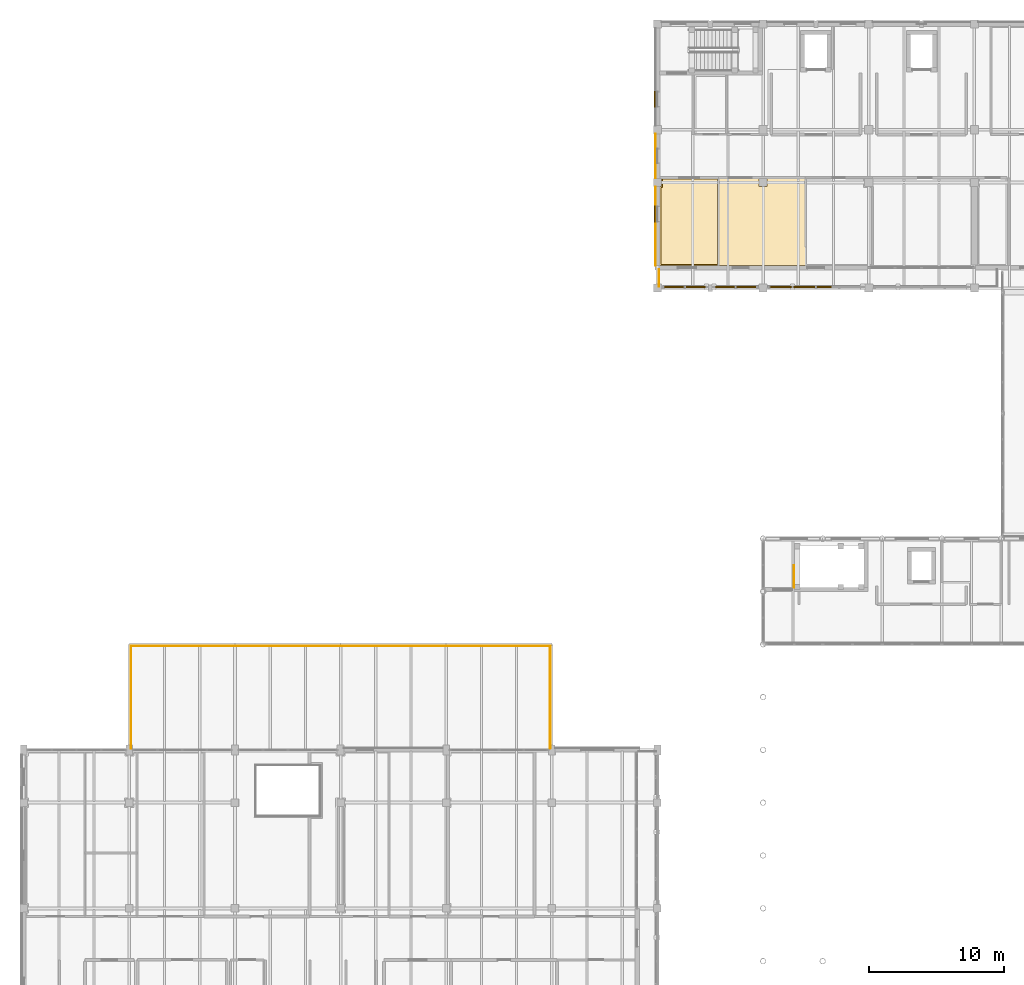
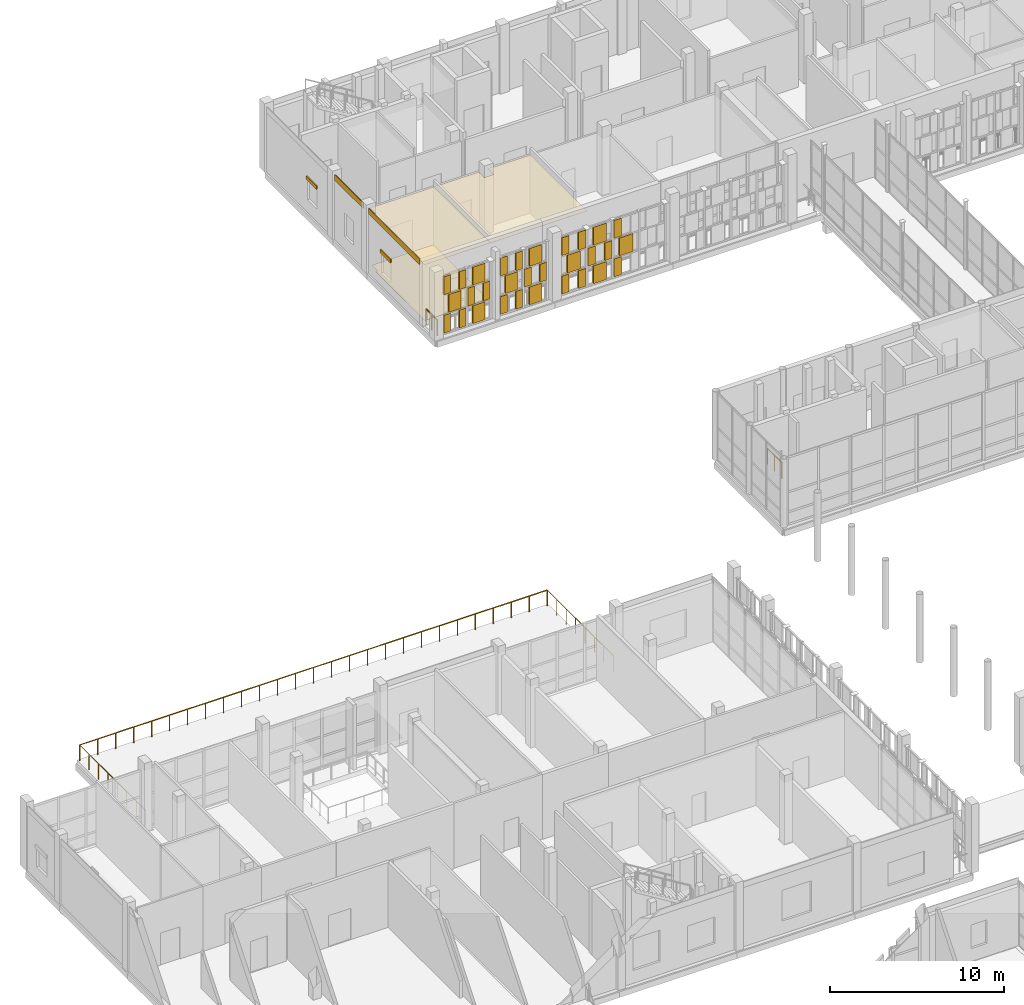
# One storey, part 128 of 138: 35 coverings, 5 railings, 2 shading devices.
"""IFC4 building model written with IfcOpenShell, lengths in metres."""

from ifc_helpers import new_model, si_unit, direction, frame, origin, origin_2d, place, context, subcontext, project, spatial, polyline, rectangle, circle, outline, extrude, material, layer, layer_set, type_object, element, save


model = new_model("IFC4")

# Units and contexts
model_context = context("Model", 3, precision=1e-05, world=origin(), true_north=direction((0.0, 1.0)))
body_context = subcontext(model_context, "Body", "Model", "MODEL_VIEW")
ifc_project = project(units=[si_unit("LENGTHUNIT", "METRE"), si_unit("AREAUNIT", "SQUARE_METRE"), si_unit("VOLUMEUNIT", "CUBIC_METRE"), si_unit("PLANEANGLEUNIT", "RADIAN"), si_unit("MASSUNIT", "GRAM", prefix="KILO")], contexts=[model_context])

# Site, building, storey
site_placement = place(None, origin())
site = spatial("IfcSite", under=ifc_project, at=site_placement, CompositionType="ELEMENT")
building_placement = place(site_placement, origin())
building = spatial("IfcBuilding", under=site, at=building_placement, Name="Celorna Specialist Clinic", CompositionType="ELEMENT")
storey_placement = place(building_placement, frame((0.0, 0.0, 4.800048828125)))
storey = spatial("IfcBuildingStorey", under=building, at=storey_placement, Name="L01", CompositionType="ELEMENT", Elevation=4.800048828125)

# Railings
ifc_material_1 = material(Name="Stainless steel and laminated glass balustrade", Category="steel")
railing_type_1 = type_object("IfcRailingType", Name="BL-01", PredefinedType="BALUSTRADE", material=ifc_material_1)
railing_1_placement = place(storey_placement, frame((7.919921875, 62.52001953125, 0.0)))
element("IfcRailing", 1, at=railing_1_placement, inside=storey, type_object=railing_type_1, Name="Imaging Garden Terrace perimeter balustrade 1", PredefinedType="BALUSTRADE", context=body_context, shape_type="SweptSolid", body=[
    extrude(circle(Radius=0.02392578125, at=origin_2d()), frame((0.0, 0.0, 1.09619140625), z_axis=(0.0, 1.0, 0.0), x_axis=(-1.0, 0.0, 0.0)), (0.0, 0.0, 1.0), 7.56005859375),
    extrude(circle(Radius=0.02099609375, at=origin_2d()), origin(), (0.0, 0.0, 1.0), 1.072021484375),
    extrude(circle(Radius=0.02099609375, at=origin_2d()), frame((0.0, 1.080078125, 0.0)), (0.0, 0.0, 1.0), 1.072021484375),
    extrude(circle(Radius=0.02099609375, at=origin_2d()), frame((0.0, 2.159912109375, 0.0)), (0.0, 0.0, 1.0), 1.072021484375),
    extrude(circle(Radius=0.02099609375, at=origin_2d()), frame((0.0, 3.239990234375, 0.0)), (0.0, 0.0, 1.0), 1.072021484375),
    extrude(circle(Radius=0.02099609375, at=origin_2d()), frame((0.0, 4.320068359375, 0.0)), (0.0, 0.0, 1.0), 1.072021484375),
    extrude(circle(Radius=0.02099609375, at=origin_2d()), frame((0.0, 5.400146484375, 0.0)), (0.0, 0.0, 1.0), 1.072021484375),
    extrude(circle(Radius=0.02099609375, at=origin_2d()), frame((0.0, 6.47998046875, 0.0)), (0.0, 0.0, 1.0), 1.072021484375),
    extrude(circle(Radius=0.02099609375, at=origin_2d()), frame((0.0, 7.56005859375, 0.0)), (0.0, 0.0, 1.0), 1.072021484375),
])
railing_2_placement = place(storey_placement, frame((7.919921875, 70.080078125, 0.0)))
element("IfcRailing", 2, at=railing_2_placement, inside=storey, type_object=railing_type_1, Name="Imaging Garden Terrace perimeter balustrade 2", PredefinedType="BALUSTRADE", context=body_context, shape_type="SweptSolid", body=[
    extrude(circle(Radius=0.02392578125, at=origin_2d()), frame((0.0, 0.0, 1.09619140625), z_axis=(1.0, 0.0, 0.0), x_axis=(0.0, 1.0, 0.0)), (0.0, 0.0, 1.0), 30.9599609375),
    extrude(circle(Radius=0.02099609375, at=origin_2d()), origin(), (0.0, 0.0, 1.0), 1.072021484375),
    extrude(circle(Radius=0.02099609375, at=origin_2d()), frame((1.190673828125, 0.0, 0.0)), (0.0, 0.0, 1.0), 1.072021484375),
    extrude(circle(Radius=0.02099609375, at=origin_2d()), frame((2.381591796875, 0.0, 0.0)), (0.0, 0.0, 1.0), 1.072021484375),
    extrude(circle(Radius=0.02099609375, at=origin_2d()), frame((3.572265625, 0.0, 0.0)), (0.0, 0.0, 1.0), 1.072021484375),
    extrude(circle(Radius=0.02099609375, at=origin_2d()), frame((4.76318359375, 0.0, 0.0)), (0.0, 0.0, 1.0), 1.072021484375),
    extrude(circle(Radius=0.02099609375, at=origin_2d()), frame((5.953857421875, 0.0, 0.0)), (0.0, 0.0, 1.0), 1.072021484375),
    extrude(circle(Radius=0.02099609375, at=origin_2d()), frame((7.14453125, 0.0, 0.0)), (0.0, 0.0, 1.0), 1.072021484375),
    extrude(circle(Radius=0.02099609375, at=origin_2d()), frame((8.33544921875, 0.0, 0.0)), (0.0, 0.0, 1.0), 1.072021484375),
    extrude(circle(Radius=0.02099609375, at=origin_2d()), frame((9.526123046875, 0.0, 0.0)), (0.0, 0.0, 1.0), 1.072021484375),
    extrude(circle(Radius=0.02099609375, at=origin_2d()), frame((10.716796875, 0.0, 0.0)), (0.0, 0.0, 1.0), 1.072021484375),
    extrude(circle(Radius=0.02099609375, at=origin_2d()), frame((11.90771484375, 0.0, 0.0)), (0.0, 0.0, 1.0), 1.072021484375),
    extrude(circle(Radius=0.02099609375, at=origin_2d()), frame((13.098388671875, 0.0, 0.0)), (0.0, 0.0, 1.0), 1.072021484375),
    extrude(circle(Radius=0.02099609375, at=origin_2d()), frame((14.289306640625, 0.0, 0.0)), (0.0, 0.0, 1.0), 1.072021484375),
    extrude(circle(Radius=0.02099609375, at=origin_2d()), frame((15.47998046875, 0.0, 0.0)), (0.0, 0.0, 1.0), 1.072021484375),
    extrude(circle(Radius=0.02099609375, at=origin_2d()), frame((16.670654296875, 0.0, 0.0)), (0.0, 0.0, 1.0), 1.072021484375),
    extrude(circle(Radius=0.02099609375, at=origin_2d()), frame((17.861572265625, 0.0, 0.0)), (0.0, 0.0, 1.0), 1.072021484375),
    extrude(circle(Radius=0.02099609375, at=origin_2d()), frame((19.05224609375, 0.0, 0.0)), (0.0, 0.0, 1.0), 1.072021484375),
    extrude(circle(Radius=0.02099609375, at=origin_2d()), frame((20.2431640625, 0.0, 0.0)), (0.0, 0.0, 1.0), 1.072021484375),
    extrude(circle(Radius=0.02099609375, at=origin_2d()), frame((21.433837890625, 0.0, 0.0)), (0.0, 0.0, 1.0), 1.072021484375),
    extrude(circle(Radius=0.02099609375, at=origin_2d()), frame((22.62451171875, 0.0, 0.0)), (0.0, 0.0, 1.0), 1.072021484375),
    extrude(circle(Radius=0.02099609375, at=origin_2d()), frame((23.8154296875, 0.0, 0.0)), (0.0, 0.0, 1.0), 1.072021484375),
    extrude(circle(Radius=0.02099609375, at=origin_2d()), frame((25.006103515625, 0.0, 0.0)), (0.0, 0.0, 1.0), 1.072021484375),
    extrude(circle(Radius=0.02099609375, at=origin_2d()), frame((26.19677734375, 0.0, 0.0)), (0.0, 0.0, 1.0), 1.072021484375),
    extrude(circle(Radius=0.02099609375, at=origin_2d()), frame((27.3876953125, 0.0, 0.0)), (0.0, 0.0, 1.0), 1.072021484375),
    extrude(circle(Radius=0.02099609375, at=origin_2d()), frame((28.578369140625, 0.0, 0.0)), (0.0, 0.0, 1.0), 1.072021484375),
    extrude(circle(Radius=0.02099609375, at=origin_2d()), frame((29.769287109375, 0.0, 0.0)), (0.0, 0.0, 1.0), 1.072021484375),
    extrude(circle(Radius=0.02099609375, at=origin_2d()), frame((30.9599609375, 0.0, 0.0)), (0.0, 0.0, 1.0), 1.072021484375),
])
railing_3_placement = place(storey_placement, frame((38.8798828125, 70.080078125, 0.0)))
element("IfcRailing", 3, at=railing_3_placement, inside=storey, type_object=railing_type_1, Name="Imaging Garden Terrace perimeter balustrade 3", PredefinedType="BALUSTRADE", context=body_context, shape_type="SweptSolid", body=[
    extrude(circle(Radius=0.02392578125, at=origin_2d()), frame((0.0, 0.0, 1.09619140625), z_axis=(0.0, -1.0, 0.0), x_axis=(1.0, 0.0, 0.0)), (0.0, 0.0, 1.0), 7.56005859375),
    extrude(circle(Radius=0.02099609375, at=origin_2d()), origin(), (0.0, 0.0, 1.0), 1.072021484375),
    extrude(circle(Radius=0.02099609375, at=origin_2d()), frame((0.0, -1.080078125, 0.0)), (0.0, 0.0, 1.0), 1.072021484375),
    extrude(circle(Radius=0.02099609375, at=origin_2d()), frame((0.0, -2.159912109375, 0.0)), (0.0, 0.0, 1.0), 1.072021484375),
    extrude(circle(Radius=0.02099609375, at=origin_2d()), frame((0.0, -3.239990234375, 0.0)), (0.0, 0.0, 1.0), 1.072021484375),
    extrude(circle(Radius=0.02099609375, at=origin_2d()), frame((0.0, -4.320068359375, 0.0)), (0.0, 0.0, 1.0), 1.072021484375),
    extrude(circle(Radius=0.02099609375, at=origin_2d()), frame((0.0, -5.400146484375, 0.0)), (0.0, 0.0, 1.0), 1.072021484375),
    extrude(circle(Radius=0.02099609375, at=origin_2d()), frame((0.0, -6.47998046875, 0.0)), (0.0, 0.0, 1.0), 1.072021484375),
    extrude(circle(Radius=0.02099609375, at=origin_2d()), frame((0.0, -7.56005859375, 0.0)), (0.0, 0.0, 1.0), 1.072021484375),
])
railing_4_placement = place(storey_placement, frame((46.919921875, 96.6201171875, 0.0)))
element("IfcRailing", 4, at=railing_4_placement, inside=storey, type_object=railing_type_1, Name="West Outpatient Cloister Veranda perimeter balustrade 1", PredefinedType="BALUSTRADE", context=body_context, shape_type="SweptSolid", body=[
    extrude(circle(Radius=0.02392578125, at=origin_2d()), frame((0.0, 0.0, 1.09619140625), z_axis=(0.0, 1.0, 0.0), x_axis=(-1.0, 0.0, 0.0)), (0.0, 0.0, 1.0), 1.259765625),
    extrude(circle(Radius=0.02099609375, at=origin_2d()), origin(), (0.0, 0.0, 1.0), 1.072021484375),
    extrude(circle(Radius=0.02099609375, at=origin_2d()), frame((0.0, 0.6298828125, 0.0)), (0.0, 0.0, 1.0), 1.072021484375),
    extrude(circle(Radius=0.02099609375, at=origin_2d()), frame((0.0, 1.259765625, 0.0)), (0.0, 0.0, 1.0), 1.072021484375),
])

# Coverings
ifc_material_2 = material(Name="Hygienic acoustic mineral-fibre ceiling")
ifc_layer_1 = layer(ifc_material_2, 0.030029296875, Name="Hygienic acoustic mineral-fibre ceiling")
ifc_layer_set_1 = layer_set([ifc_layer_1], Name="Hygienic acoustic mineral-fibre ceiling")
covering_type_1 = type_object("IfcCoveringType", Name="CE-01", PredefinedType="CEILING", material=ifc_layer_set_1)
covering_1_placement = place(storey_placement, frame((0.0, 0.0, 3.989990234375)))
element("IfcCovering", 5, at=covering_1_placement, inside=storey, type_object=covering_type_1, Name="Acoustic ceiling L01-052", PredefinedType="CEILING", context=body_context, shape_type="SweptSolid", body=[
    extrude(outline(polyline([(51.3349609375, 104.6650390625), (51.3349609375, 98.155029296875), (46.955078125, 98.155029296875), (46.955078125, 103.9951171875), (47.10498046875, 103.9951171875), (47.10498046875, 104.60498046875), (47.094970703125, 104.60498046875), (47.094970703125, 104.6650390625), (51.3349609375, 104.6650390625)])), origin(), (0.0, 0.0, 1.0), 0.030029296875),
])
covering_2_placement = place(storey_placement, frame((0.0, 0.0, 3.989990234375)))
element("IfcCovering", 6, at=covering_2_placement, inside=storey, type_object=covering_type_1, Name="Acoustic ceiling L01-053", PredefinedType="CEILING", context=body_context, shape_type="SweptSolid", body=[
    extrude(outline(polyline([(54.304931640625, 104.6650390625), (54.304931640625, 104.60498046875), (54.294921875, 104.60498046875), (54.294921875, 103.9951171875), (54.905029296875, 103.9951171875), (54.905029296875, 104.60498046875), (54.89501953125, 104.60498046875), (54.89501953125, 104.6650390625), (57.735107421875, 104.6650390625), (57.735107421875, 98.155029296875), (51.304931640625, 98.155029296875), (51.304931640625, 104.6650390625), (54.304931640625, 104.6650390625)])), origin(), (0.0, 0.0, 1.0), 0.030029296875),
])
ifc_material_3 = material(Name="Pero Pinheiro Lioz limestone rainscreen cladding", Category="masonry")
ifc_layer_2 = layer(ifc_material_3, 0.044921875, Name="Pero Pinheiro Lioz limestone rainscreen cladding")
ifc_layer_set_2 = layer_set([ifc_layer_2], Name="Pero Pinheiro Lioz limestone rainscreen cladding")
covering_type_2 = type_object("IfcCoveringType", Name="CL-01", PredefinedType="CLADDING", material=ifc_layer_set_2)
covering_3_placement = place(storey_placement, frame((46.652587890625, 101.0849609375, 4.139892578125), z_axis=(0.0, 0.0, 1.0), x_axis=(0.0, 1.0, 0.0)))
element("IfcCovering", 7, at=covering_3_placement, inside=storey, type_object=covering_type_2, Name="Lioz spandrel cladding #224", PredefinedType="CLADDING", context=body_context, shape_type="SweptSolid", body=[
    extrude(rectangle(XDim=5.830078125, YDim=0.044921875, at=origin_2d()), origin(), (0.0, 0.0, 1.0), 0.39990234375),
])
covering_4_placement = place(storey_placement, frame((46.652587890625, 106.25, 4.139892578125), z_axis=(0.0, 0.0, 1.0), x_axis=(0.0, 1.0, 0.0)))
element("IfcCovering", 8, at=covering_4_placement, inside=storey, type_object=covering_type_2, Name="Lioz spandrel cladding #225", PredefinedType="CLADDING", context=body_context, shape_type="SweptSolid", body=[
    extrude(rectangle(XDim=3.300048828125, YDim=0.044921875, at=origin_2d()), origin(), (0.0, 0.0, 1.0), 0.39990234375),
])
ifc_material_4 = material(Name="Perforated terracotta brick weave cladding", Category="masonry")
ifc_layer_3 = layer(ifc_material_4, 0.114990234375, Name="Perforated terracotta brick weave cladding")
ifc_layer_set_3 = layer_set([ifc_layer_3], Name="Perforated terracotta brick weave cladding")
covering_type_3 = type_object("IfcCoveringType", Name="CL-02", PredefinedType="CLADDING", material=ifc_layer_set_3)
for number, where, z_axis, x_axis, name in (
    (9, (47.5234375, 96.570068359375, 0.10009765625), (0.0, 0.0, 1.0), (1.0, 0.0, 0.0), "Woven perforated terracotta brick course #617"),
    (10, (48.54150390625, 96.570068359375, 0.10009765625), (0.0, 0.0, 1.0), (1.0, 0.0, 0.0), "Woven perforated terracotta brick course #618"),
):
    element("IfcCovering", number, at=place(storey_placement, frame(where, z_axis=z_axis, x_axis=x_axis)), inside=storey, type_object=covering_type_3, Name=name, PredefinedType="CLADDING", context=body_context, shape_type="SweptSolid", body=[
        extrude(rectangle(XDim=0.44677734375, YDim=0.114990234375, at=origin_2d()), origin(), (0.0, 0.0, 1.0), 1.24658203125),
    ])
covering_5_placement = place(storey_placement, frame((48.032470703125, 96.570068359375, 1.44677734375), z_axis=(0.0, 0.0, 1.0), x_axis=(1.0, 0.0, 0.0)))
element("IfcCovering", 11, at=covering_5_placement, inside=storey, type_object=covering_type_3, Name="Woven perforated terracotta brick course #619", PredefinedType="CLADDING", context=body_context, shape_type="SweptSolid", body=[
    extrude(rectangle(XDim=0.791015625, YDim=0.114990234375, at=origin_2d()), origin(), (0.0, 0.0, 1.0), 1.24658203125),
])
for number, where, z_axis, x_axis, name in (
    (12, (47.5234375, 96.570068359375, 2.793212890625), (0.0, 0.0, 1.0), (1.0, 0.0, 0.0), "Woven perforated terracotta brick course #620"),
    (13, (48.54150390625, 96.570068359375, 2.793212890625), (0.0, 0.0, 1.0), (1.0, 0.0, 0.0), "Woven perforated terracotta brick course #621"),
):
    element("IfcCovering", number, at=place(storey_placement, frame(where, z_axis=z_axis, x_axis=x_axis)), inside=storey, type_object=covering_type_3, Name=name, PredefinedType="CLADDING", context=body_context, shape_type="SweptSolid", body=[
        extrude(rectangle(XDim=0.44677734375, YDim=0.114990234375, at=origin_2d()), origin(), (0.0, 0.0, 1.0), 1.24658203125),
    ])
covering_6_placement = place(storey_placement, frame((49.617431640625, 96.570068359375, 0.10009765625), z_axis=(0.0, 0.0, 1.0), x_axis=(1.0, 0.0, 0.0)))
element("IfcCovering", 14, at=covering_6_placement, inside=storey, type_object=covering_type_3, Name="Woven perforated terracotta brick course #622", PredefinedType="CLADDING", context=body_context, shape_type="SweptSolid", body=[
    extrude(rectangle(XDim=0.791015625, YDim=0.114990234375, at=origin_2d()), origin(), (0.0, 0.0, 1.0), 1.24658203125),
])
for number, where, z_axis, x_axis, name in (
    (15, (49.1083984375, 96.570068359375, 1.44677734375), (0.0, 0.0, 1.0), (1.0, 0.0, 0.0), "Woven perforated terracotta brick course #623"),
    (16, (50.126708984375, 96.570068359375, 1.44677734375), (0.0, 0.0, 1.0), (1.0, 0.0, 0.0), "Woven perforated terracotta brick course #624"),
):
    element("IfcCovering", number, at=place(storey_placement, frame(where, z_axis=z_axis, x_axis=x_axis)), inside=storey, type_object=covering_type_3, Name=name, PredefinedType="CLADDING", context=body_context, shape_type="SweptSolid", body=[
        extrude(rectangle(XDim=0.44677734375, YDim=0.114990234375, at=origin_2d()), origin(), (0.0, 0.0, 1.0), 1.24658203125),
    ])
covering_7_placement = place(storey_placement, frame((49.617431640625, 96.570068359375, 2.793212890625), z_axis=(0.0, 0.0, 1.0), x_axis=(1.0, 0.0, 0.0)))
element("IfcCovering", 17, at=covering_7_placement, inside=storey, type_object=covering_type_3, Name="Woven perforated terracotta brick course #625", PredefinedType="CLADDING", context=body_context, shape_type="SweptSolid", body=[
    extrude(rectangle(XDim=0.791015625, YDim=0.114990234375, at=origin_2d()), origin(), (0.0, 0.0, 1.0), 1.24658203125),
])
for number, where, z_axis, x_axis, name in (
    (18, (51.2734375, 96.570068359375, 0.10009765625), (0.0, 0.0, 1.0), (1.0, 0.0, 0.0), "Woven perforated terracotta brick course #626"),
    (19, (52.29150390625, 96.570068359375, 0.10009765625), (0.0, 0.0, 1.0), (1.0, 0.0, 0.0), "Woven perforated terracotta brick course #627"),
):
    element("IfcCovering", number, at=place(storey_placement, frame(where, z_axis=z_axis, x_axis=x_axis)), inside=storey, type_object=covering_type_3, Name=name, PredefinedType="CLADDING", context=body_context, shape_type="SweptSolid", body=[
        extrude(rectangle(XDim=0.44677734375, YDim=0.114990234375, at=origin_2d()), origin(), (0.0, 0.0, 1.0), 1.24658203125),
    ])
covering_8_placement = place(storey_placement, frame((51.782470703125, 96.570068359375, 1.44677734375), z_axis=(0.0, 0.0, 1.0), x_axis=(1.0, 0.0, 0.0)))
element("IfcCovering", 20, at=covering_8_placement, inside=storey, type_object=covering_type_3, Name="Woven perforated terracotta brick course #628", PredefinedType="CLADDING", context=body_context, shape_type="SweptSolid", body=[
    extrude(rectangle(XDim=0.791015625, YDim=0.114990234375, at=origin_2d()), origin(), (0.0, 0.0, 1.0), 1.24658203125),
])
for number, where, z_axis, x_axis, name in (
    (21, (51.2734375, 96.570068359375, 2.793212890625), (0.0, 0.0, 1.0), (1.0, 0.0, 0.0), "Woven perforated terracotta brick course #629"),
    (22, (52.29150390625, 96.570068359375, 2.793212890625), (0.0, 0.0, 1.0), (1.0, 0.0, 0.0), "Woven perforated terracotta brick course #630"),
):
    element("IfcCovering", number, at=place(storey_placement, frame(where, z_axis=z_axis, x_axis=x_axis)), inside=storey, type_object=covering_type_3, Name=name, PredefinedType="CLADDING", context=body_context, shape_type="SweptSolid", body=[
        extrude(rectangle(XDim=0.44677734375, YDim=0.114990234375, at=origin_2d()), origin(), (0.0, 0.0, 1.0), 1.24658203125),
    ])
covering_9_placement = place(storey_placement, frame((53.367431640625, 96.570068359375, 0.10009765625), z_axis=(0.0, 0.0, 1.0), x_axis=(1.0, 0.0, 0.0)))
element("IfcCovering", 23, at=covering_9_placement, inside=storey, type_object=covering_type_3, Name="Woven perforated terracotta brick course #631", PredefinedType="CLADDING", context=body_context, shape_type="SweptSolid", body=[
    extrude(rectangle(XDim=0.791015625, YDim=0.114990234375, at=origin_2d()), origin(), (0.0, 0.0, 1.0), 1.24658203125),
])
for number, where, z_axis, x_axis, name in (
    (24, (52.8583984375, 96.570068359375, 1.44677734375), (0.0, 0.0, 1.0), (1.0, 0.0, 0.0), "Woven perforated terracotta brick course #632"),
    (25, (53.876708984375, 96.570068359375, 1.44677734375), (0.0, 0.0, 1.0), (1.0, 0.0, 0.0), "Woven perforated terracotta brick course #633"),
):
    element("IfcCovering", number, at=place(storey_placement, frame(where, z_axis=z_axis, x_axis=x_axis)), inside=storey, type_object=covering_type_3, Name=name, PredefinedType="CLADDING", context=body_context, shape_type="SweptSolid", body=[
        extrude(rectangle(XDim=0.44677734375, YDim=0.114990234375, at=origin_2d()), origin(), (0.0, 0.0, 1.0), 1.24658203125),
    ])
covering_10_placement = place(storey_placement, frame((53.367431640625, 96.570068359375, 2.793212890625), z_axis=(0.0, 0.0, 1.0), x_axis=(1.0, 0.0, 0.0)))
element("IfcCovering", 26, at=covering_10_placement, inside=storey, type_object=covering_type_3, Name="Woven perforated terracotta brick course #634", PredefinedType="CLADDING", context=body_context, shape_type="SweptSolid", body=[
    extrude(rectangle(XDim=0.791015625, YDim=0.114990234375, at=origin_2d()), origin(), (0.0, 0.0, 1.0), 1.24658203125),
])
for number, where, z_axis, x_axis, name in (
    (27, (55.345458984375, 96.570068359375, 0.10009765625), (0.0, 0.0, 1.0), (1.0, 0.0, 0.0), "Woven perforated terracotta brick course #635"),
    (28, (56.46435546875, 96.570068359375, 0.10009765625), (0.0, 0.0, 1.0), (1.0, 0.0, 0.0), "Woven perforated terracotta brick course #636"),
):
    element("IfcCovering", number, at=place(storey_placement, frame(where, z_axis=z_axis, x_axis=x_axis)), inside=storey, type_object=covering_type_3, Name=name, PredefinedType="CLADDING", context=body_context, shape_type="SweptSolid", body=[
        extrude(rectangle(XDim=0.4912109375, YDim=0.114990234375, at=origin_2d()), origin(), (0.0, 0.0, 1.0), 1.24658203125),
    ])
covering_11_placement = place(storey_placement, frame((55.905029296875, 96.570068359375, 1.44677734375), z_axis=(0.0, 0.0, 1.0), x_axis=(1.0, 0.0, 0.0)))
element("IfcCovering", 29, at=covering_11_placement, inside=storey, type_object=covering_type_3, Name="Woven perforated terracotta brick course #637", PredefinedType="CLADDING", context=body_context, shape_type="SweptSolid", body=[
    extrude(rectangle(XDim=0.869384765625, YDim=0.114990234375, at=origin_2d()), origin(), (0.0, 0.0, 1.0), 1.24658203125),
])
for number, where, z_axis, x_axis, name in (
    (30, (55.345458984375, 96.570068359375, 2.793212890625), (0.0, 0.0, 1.0), (1.0, 0.0, 0.0), "Woven perforated terracotta brick course #638"),
    (31, (56.46435546875, 96.570068359375, 2.793212890625), (0.0, 0.0, 1.0), (1.0, 0.0, 0.0), "Woven perforated terracotta brick course #639"),
):
    element("IfcCovering", number, at=place(storey_placement, frame(where, z_axis=z_axis, x_axis=x_axis)), inside=storey, type_object=covering_type_3, Name=name, PredefinedType="CLADDING", context=body_context, shape_type="SweptSolid", body=[
        extrude(rectangle(XDim=0.4912109375, YDim=0.114990234375, at=origin_2d()), origin(), (0.0, 0.0, 1.0), 1.24658203125),
    ])
covering_12_placement = place(storey_placement, frame((57.635009765625, 96.570068359375, 0.10009765625), z_axis=(0.0, 0.0, 1.0), x_axis=(1.0, 0.0, 0.0)))
element("IfcCovering", 32, at=covering_12_placement, inside=storey, type_object=covering_type_3, Name="Woven perforated terracotta brick course #640", PredefinedType="CLADDING", context=body_context, shape_type="SweptSolid", body=[
    extrude(rectangle(XDim=0.869384765625, YDim=0.114990234375, at=origin_2d()), origin(), (0.0, 0.0, 1.0), 1.24658203125),
])
for number, where, z_axis, x_axis, name in (
    (33, (57.075439453125, 96.570068359375, 1.44677734375), (0.0, 0.0, 1.0), (1.0, 0.0, 0.0), "Woven perforated terracotta brick course #641"),
    (34, (58.194580078125, 96.570068359375, 1.44677734375), (0.0, 0.0, 1.0), (1.0, 0.0, 0.0), "Woven perforated terracotta brick course #642"),
):
    element("IfcCovering", number, at=place(storey_placement, frame(where, z_axis=z_axis, x_axis=x_axis)), inside=storey, type_object=covering_type_3, Name=name, PredefinedType="CLADDING", context=body_context, shape_type="SweptSolid", body=[
        extrude(rectangle(XDim=0.4912109375, YDim=0.114990234375, at=origin_2d()), origin(), (0.0, 0.0, 1.0), 1.24658203125),
    ])
covering_13_placement = place(storey_placement, frame((57.635009765625, 96.570068359375, 2.793212890625), z_axis=(0.0, 0.0, 1.0), x_axis=(1.0, 0.0, 0.0)))
element("IfcCovering", 35, at=covering_13_placement, inside=storey, type_object=covering_type_3, Name="Woven perforated terracotta brick course #643", PredefinedType="CLADDING", context=body_context, shape_type="SweptSolid", body=[
    extrude(rectangle(XDim=0.869384765625, YDim=0.114990234375, at=origin_2d()), origin(), (0.0, 0.0, 1.0), 1.24658203125),
])
covering_14_placement = place(storey_placement, frame((58.805419921875, 96.570068359375, 0.10009765625), z_axis=(0.0, 0.0, 1.0), x_axis=(1.0, 0.0, 0.0)))
element("IfcCovering", 36, at=covering_14_placement, inside=storey, type_object=covering_type_3, Name="Woven perforated terracotta brick course #644", PredefinedType="CLADDING", context=body_context, shape_type="SweptSolid", body=[
    extrude(rectangle(XDim=0.4912109375, YDim=0.114990234375, at=origin_2d()), origin(), (0.0, 0.0, 1.0), 1.24658203125),
])
covering_15_placement = place(storey_placement, frame((59.364990234375, 96.570068359375, 1.44677734375), z_axis=(0.0, 0.0, 1.0), x_axis=(1.0, 0.0, 0.0)))
element("IfcCovering", 37, at=covering_15_placement, inside=storey, type_object=covering_type_3, Name="Woven perforated terracotta brick course #646", PredefinedType="CLADDING", context=body_context, shape_type="SweptSolid", body=[
    extrude(rectangle(XDim=0.869384765625, YDim=0.114990234375, at=origin_2d()), origin(), (0.0, 0.0, 1.0), 1.24658203125),
])
covering_16_placement = place(storey_placement, frame((58.805419921875, 96.570068359375, 2.793212890625), z_axis=(0.0, 0.0, 1.0), x_axis=(1.0, 0.0, 0.0)))
element("IfcCovering", 38, at=covering_16_placement, inside=storey, type_object=covering_type_3, Name="Woven perforated terracotta brick course #647", PredefinedType="CLADDING", context=body_context, shape_type="SweptSolid", body=[
    extrude(rectangle(XDim=0.4912109375, YDim=0.114990234375, at=origin_2d()), origin(), (0.0, 0.0, 1.0), 1.24658203125),
])
ifc_material_5 = material(Name="Seamless antimicrobial clinical vinyl and Lioz terrazzo flooring")
ifc_layer_4 = layer(ifc_material_5, 0.02001953125, Name="Seamless antimicrobial clinical vinyl and Lioz terrazzo flooring")
ifc_layer_set_4 = layer_set([ifc_layer_4], Name="Seamless antimicrobial clinical vinyl and Lioz terrazzo flooring")
covering_type_4 = type_object("IfcCoveringType", Name="FL-01", PredefinedType="FLOORING", material=ifc_layer_set_4)
covering_17_placement = place(storey_placement, origin())
element("IfcCovering", 39, at=covering_17_placement, inside=storey, type_object=covering_type_4, Name="Antimicrobial clinical flooring L01-052", PredefinedType="FLOORING", context=body_context, shape_type="SweptSolid", body=[
    extrude(outline(polyline([(47.18505859375, 104.574951171875), (51.2451171875, 104.574951171875), (51.2451171875, 98.2451171875), (47.044921875, 98.2451171875), (47.044921875, 103.9150390625), (47.18505859375, 103.9150390625), (47.18505859375, 104.574951171875)])), origin(), (0.0, 0.0, 1.0), 0.02001953125),
])

# Railing
ifc_material_6 = material(Name="Powder-coated steel S355", Category="steel")
railing_type_2 = type_object("IfcRailingType", Name="GR-01", PredefinedType="GUARDRAIL", material=ifc_material_6)
railing_5_placement = place(storey_placement, frame((56.889892578125, 74.3798828125, 0.0)))
element("IfcRailing", 40, at=railing_5_placement, inside=storey, type_object=railing_type_2, Name="L01 ST-10 top well guard 1", PredefinedType="GUARDRAIL", context=body_context, shape_type="SweptSolid", body=[
    extrude(circle(Radius=0.02392578125, at=origin_2d()), frame((0.0, 0.0, 1.09619140625), z_axis=(0.0, 1.0, 0.0), x_axis=(-1.0, 0.0, 0.0)), (0.0, 0.0, 1.0), 1.650146484375),
    extrude(circle(Radius=0.02099609375, at=origin_2d()), origin(), (0.0, 0.0, 1.0), 1.072021484375),
    extrude(circle(Radius=0.02099609375, at=origin_2d()), frame((0.0, 0.8251953125, 0.0)), (0.0, 0.0, 1.0), 1.072021484375),
    extrude(circle(Radius=0.02099609375, at=origin_2d()), frame((0.0, 1.650146484375, 0.0)), (0.0, 0.0, 1.0), 1.072021484375),
])

# Shading devices
ifc_material_7 = material(Name="Anodized aluminium solar louvre", Category="aluminium")
ifc_layer_5 = layer(ifc_material_7, 0.080078125, Name="Anodized aluminium solar louvre")
ifc_layer_set_5 = layer_set([ifc_layer_5], Name="Anodized aluminium solar louvre")
shading_device_type = type_object("IfcShadingDeviceType", Name="LV-01", PredefinedType="JALOUSIE", material=ifc_layer_set_5)
for number, where, z_axis, x_axis, name in (
    (41, (46.590087890625, 101.965087890625, 2.33984375), (0.0, 0.0, 1.0), (0.0, 1.0, 0.0), "External solar louvre LV-01 #104"),
    (42, (46.590087890625, 110.445068359375, 2.33984375), (0.0, 0.0, 1.0), (0.0, 1.0, 0.0), "External solar louvre LV-01 #106"),
):
    element("IfcShadingDevice", number, at=place(storey_placement, frame(where, z_axis=z_axis, x_axis=x_axis)), inside=storey, type_object=shading_device_type, Name=name, PredefinedType="JALOUSIE", context=body_context, shape_type="SweptSolid", body=[
        extrude(rectangle(XDim=1.199951171875, YDim=0.080078125, at=origin_2d()), origin(), (0.0, 0.0, 1.0), 0.219970703125),
    ])

save(model, "model.ifc")
